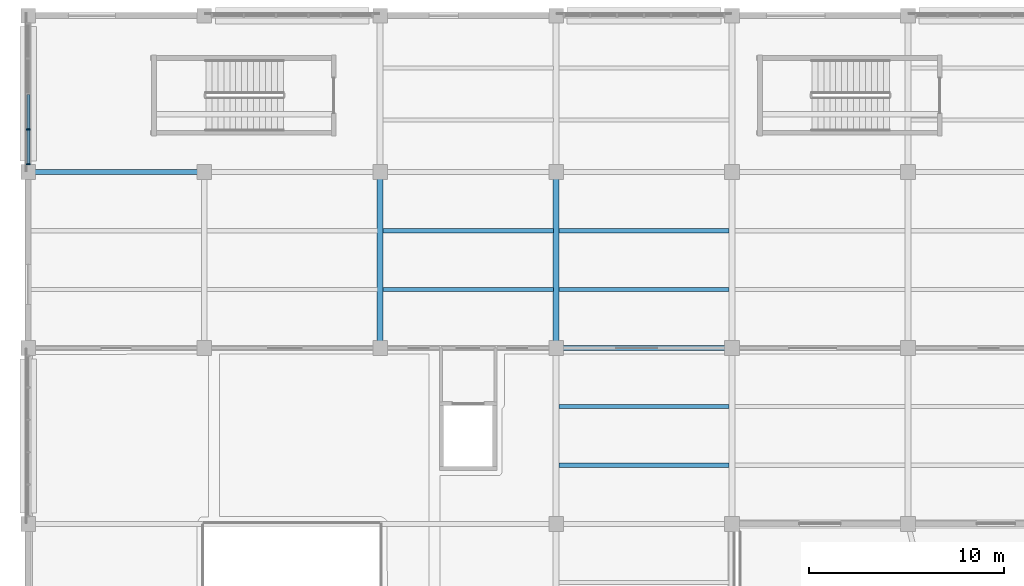
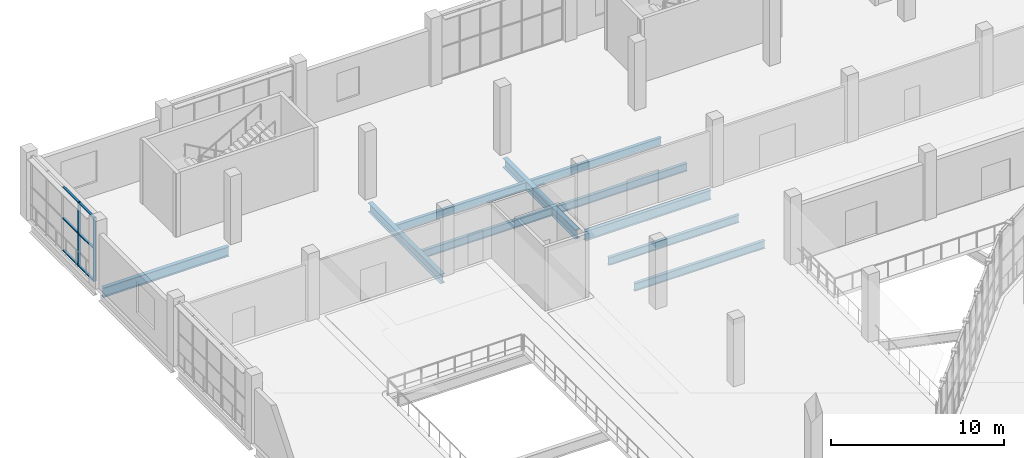
# One storey, part 53 of 179: 10 beams, 8 members, 1 element without a shape of its own.
"""IFC4 building model written with IfcOpenShell, lengths in metres."""

from ifc_helpers import new_model, si_unit, direction, frame, origin, origin_2d, place, context, subcontext, project, spatial, rectangle, i_section, extrude, material, material_profile, profile_set, type_object, element, aggregate, save


model = new_model("IFC4")

# Units and contexts
model_context = context("Model", 3, precision=1e-05, world=origin(), true_north=direction((0.0, 1.0)))
body_context = subcontext(model_context, "Body", "Model", "MODEL_VIEW")
ifc_project = project(units=[si_unit("LENGTHUNIT", "METRE"), si_unit("AREAUNIT", "SQUARE_METRE"), si_unit("VOLUMEUNIT", "CUBIC_METRE"), si_unit("PLANEANGLEUNIT", "RADIAN"), si_unit("MASSUNIT", "GRAM", prefix="KILO")], contexts=[model_context])

# Site, building, storey
site_placement = place(None, origin())
site = spatial("IfcSite", under=ifc_project, at=site_placement, CompositionType="ELEMENT")
building_placement = place(site_placement, origin())
building = spatial("IfcBuilding", under=site, at=building_placement, Name="Zevraka Park Crest Stadium", CompositionType="ELEMENT")
storey_placement = place(building_placement, frame((0.0, 0.0, 10.199951171875)))
storey = spatial("IfcBuildingStorey", under=building, at=storey_placement, Name="L02", CompositionType="ELEMENT", Elevation=10.199951171875)

# Beams
ifc_material_1 = material(Name="Steel S355", Category="steel")
ifc_material_profile_1 = material_profile(ifc_material_1, i_section(OverallWidth=0.253662109375, OverallDepth=0.68359375, WebThickness=0.012451171875, FlangeThickness=0.01904296875, at=origin_2d()), Name="UKB 686x254x140")
ifc_profile_set_1 = profile_set([ifc_material_profile_1], Name="Steel S355")
beam_type_1 = type_object("IfcBeamType", Name="BG05", PredefinedType="BEAM", material=ifc_profile_set_1)
for number, where, z_axis, x_axis, name in (
    (1, (0.300048828125, 176.0, -0.629638671875), (1.0, 0.0, 0.0), (0.0, 1.0, 0.0), "Wing Girder BG05 L02-12/V"),
    (2, (27.300048828125, 167.0, -0.629638671875), (1.0, 0.0, 0.0), (0.0, 1.0, 0.0), "Wing Girder BG05 L02-45/U"),
):
    element("IfcBeam", number, at=place(storey_placement, frame(where, z_axis=z_axis, x_axis=x_axis)), inside=storey, type_object=beam_type_1, Name=name, PredefinedType="BEAM", context=body_context, shape_type="SweptSolid", body=[
        extrude(i_section(OverallWidth=0.253662109375, OverallDepth=0.68359375, WebThickness=0.012451171875, FlangeThickness=0.01904296875, at=origin_2d()), origin(), (0.0, 0.0, 1.0), 8.39990234375),
    ])
ifc_material_2 = material(Name="Steel S355", Category="steel")
ifc_material_profile_2 = material_profile(ifc_material_2, i_section(OverallWidth=0.300048828125, OverallDepth=0.64990234375, WebThickness=0.01611328125, FlangeThickness=0.031005859375, at=origin_2d()), Name="HEB 650")
ifc_profile_set_2 = profile_set([ifc_material_profile_2], Name="Steel S355")
beam_type_2 = type_object("IfcBeamType", Name="BG07", PredefinedType="BEAM", material=ifc_profile_set_2)
for number, where, z_axis, x_axis, name in (
    (3, (18.0, 167.300048828125, -0.613037109375), (0.0, 1.0, 0.0), (-1.0, 0.0, 0.0), "Wing Girder BG07 L02-3/UV"),
    (4, (27.0, 167.300048828125, -0.613037109375), (0.0, 1.0, 0.0), (-1.0, 0.0, 0.0), "Wing Girder BG07 L02-4/UV"),
):
    element("IfcBeam", number, at=place(storey_placement, frame(where, z_axis=z_axis, x_axis=x_axis)), inside=storey, type_object=beam_type_2, Name=name, PredefinedType="BEAM", context=body_context, shape_type="SweptSolid", body=[
        extrude(i_section(OverallWidth=0.300048828125, OverallDepth=0.64990234375, WebThickness=0.01611328125, FlangeThickness=0.031005859375, at=origin_2d()), origin(), (0.0, 0.0, 1.0), 8.39990234375),
    ])

# Curtain wall, members
ifc_material_3 = material(Name="Anodised architectural aluminium and laminated safety glass", Category="aluminium")
curtain_wall_type = type_object("IfcCurtainWallType", Name="CW30", PredefinedType="NOTDEFINED", material=ifc_material_3)
curtain_wall_placement = place(storey_placement, origin())
curtain_wall = element("IfcCurtainWall", 5, at=curtain_wall_placement, inside=storey, type_object=curtain_wall_type, Name="Wing Curtain Wall CW30 L02-NW-W-8", PredefinedType="NOTDEFINED")
ifc_material_4 = material(Name="Anodised architectural aluminium", Category="aluminium")
ifc_material_profile_3 = material_profile(ifc_material_4, rectangle(XDim=0.199951171875, YDim=0.070068359375, at=origin_2d()), Name="ALU MULLION 200x70")
ifc_profile_set_3 = profile_set([ifc_material_profile_3], Name="Anodised architectural aluminium")
member_type_1 = type_object("IfcMemberType", Name="CM03", PredefinedType="MULLION", material=ifc_profile_set_3)
member_1_placement = place(storey_placement, frame((0.0, 176.39990234375, 0.0), z_axis=(0.0, 0.0, 1.0), x_axis=(-1.0, 0.0, 0.0)))
member_1 = element("IfcMember", 6, at=member_1_placement, type_object=member_type_1, Name="CW30 mullion 1", PredefinedType="MULLION", context=body_context, shape_type="SweptSolid", body=[
    extrude(rectangle(XDim=0.199951171875, YDim=0.070068359375, at=origin_2d()), origin(), (0.0, 0.0, 1.0), 4.5),
])
member_2_placement = place(storey_placement, frame((0.0, 178.1826171875, 0.0), z_axis=(0.0, 0.0, 1.0), x_axis=(-1.0, 0.0, 0.0)))
member_2 = element("IfcMember", 7, at=member_2_placement, type_object=member_type_1, Name="CW30 mullion 2", PredefinedType="MULLION", context=body_context, shape_type="SweptSolid", body=[
    extrude(rectangle(XDim=0.199951171875, YDim=0.070068359375, at=origin_2d()), origin(), (0.0, 0.0, 1.0), 4.5),
])
ifc_material_5 = material(Name="Anodised architectural aluminium", Category="aluminium")
ifc_material_profile_4 = material_profile(ifc_material_5, rectangle(XDim=0.14990234375, YDim=0.070068359375, at=origin_2d()), Name="ALU TRANSOM 150x70")
ifc_profile_set_4 = profile_set([ifc_material_profile_4], Name="Anodised architectural aluminium")
member_type_2 = type_object("IfcMemberType", Name="CT03", PredefinedType="USERDEFINED", material=ifc_profile_set_4)
member_3_placement = place(storey_placement, frame((0.0, 176.43505859375, 0.03515625), z_axis=(0.0, 1.0, 0.0), x_axis=(-1.0, 0.0, 0.0)))
member_3 = element("IfcMember", 8, at=member_3_placement, type_object=member_type_2, Name="CW30 transom 1.1", ObjectType="TRANSOM", PredefinedType="USERDEFINED", context=body_context, shape_type="SweptSolid", body=[
    extrude(rectangle(XDim=0.14990234375, YDim=0.070068359375, at=origin_2d()), origin(), (0.0, 0.0, 1.0), 1.71240234375),
])
member_4_placement = place(storey_placement, frame((0.0, 176.43505859375, 2.300048828125), z_axis=(0.0, 1.0, 0.0), x_axis=(-1.0, 0.0, 0.0)))
member_4 = element("IfcMember", 9, at=member_4_placement, type_object=member_type_2, Name="CW30 transom 1.2", ObjectType="TRANSOM", PredefinedType="USERDEFINED", context=body_context, shape_type="SweptSolid", body=[
    extrude(rectangle(XDim=0.14990234375, YDim=0.070068359375, at=origin_2d()), origin(), (0.0, 0.0, 1.0), 1.71240234375),
])
member_5_placement = place(storey_placement, frame((0.0, 176.43505859375, 4.465087890625), z_axis=(0.0, 1.0, 0.0), x_axis=(-1.0, 0.0, 0.0)))
member_5 = element("IfcMember", 10, at=member_5_placement, type_object=member_type_2, Name="CW30 transom 1.3", ObjectType="TRANSOM", PredefinedType="USERDEFINED", context=body_context, shape_type="SweptSolid", body=[
    extrude(rectangle(XDim=0.14990234375, YDim=0.070068359375, at=origin_2d()), origin(), (0.0, 0.0, 1.0), 1.71240234375),
])
member_6_placement = place(storey_placement, frame((0.0, 178.217529296875, 0.03515625), z_axis=(0.0, 1.0, 0.0), x_axis=(-1.0, 0.0, 0.0)))
member_6 = element("IfcMember", 11, at=member_6_placement, type_object=member_type_2, Name="CW30 transom 2.1", ObjectType="TRANSOM", PredefinedType="USERDEFINED", context=body_context, shape_type="SweptSolid", body=[
    extrude(rectangle(XDim=0.14990234375, YDim=0.070068359375, at=origin_2d()), origin(), (0.0, 0.0, 1.0), 1.74755859375),
])
member_7_placement = place(storey_placement, frame((0.0, 178.217529296875, 2.300048828125), z_axis=(0.0, 1.0, 0.0), x_axis=(-1.0, 0.0, 0.0)))
member_7 = element("IfcMember", 12, at=member_7_placement, type_object=member_type_2, Name="CW30 transom 2.2", ObjectType="TRANSOM", PredefinedType="USERDEFINED", context=body_context, shape_type="SweptSolid", body=[
    extrude(rectangle(XDim=0.14990234375, YDim=0.070068359375, at=origin_2d()), origin(), (0.0, 0.0, 1.0), 1.74755859375),
])
member_8_placement = place(storey_placement, frame((0.0, 178.217529296875, 4.465087890625), z_axis=(0.0, 1.0, 0.0), x_axis=(-1.0, 0.0, 0.0)))
member_8 = element("IfcMember", 13, at=member_8_placement, type_object=member_type_2, Name="CW30 transom 2.3", ObjectType="TRANSOM", PredefinedType="USERDEFINED", context=body_context, shape_type="SweptSolid", body=[
    extrude(rectangle(XDim=0.14990234375, YDim=0.070068359375, at=origin_2d()), origin(), (0.0, 0.0, 1.0), 1.74755859375),
])
aggregate(curtain_wall, [member_1, member_2, member_3, member_4, member_5, member_6, member_7, member_8])

# Beams
ifc_material_6 = material(Name="Steel S355", Category="steel")
ifc_material_profile_5 = material_profile(ifc_material_6, i_section(OverallWidth=0.2099609375, OverallDepth=0.550048828125, WebThickness=0.010986328125, FlangeThickness=0.01708984375, at=origin_2d()), Name="IPE 550")
ifc_profile_set_5 = profile_set([ifc_material_profile_5], Name="Steel S355")
beam_type_3 = type_object("IfcBeamType", Name="SJ04", PredefinedType="JOIST", material=ifc_profile_set_5)
for number, where, z_axis, x_axis, name in (
    (14, (18.14501953125, 170.0, -0.56494140625), (1.0, 0.0, 0.0), (0.0, 1.0, 0.0), "Wing Joist SJ04 L02-3/U-1"),
    (15, (18.14501953125, 173.0, -0.56494140625), (1.0, 0.0, 0.0), (0.0, 1.0, 0.0), "Wing Joist SJ04 L02-3/U-2"),
    (16, (27.14501953125, 161.0, -0.56494140625), (1.0, 0.0, 0.0), (0.0, 1.0, 0.0), "Wing Joist SJ04 L02-4/T-1"),
    (17, (27.14501953125, 164.0, -0.56494140625), (1.0, 0.0, 0.0), (0.0, 1.0, 0.0), "Wing Joist SJ04 L02-4/T-2"),
    (18, (27.14501953125, 170.0, -0.56494140625), (1.0, 0.0, 0.0), (0.0, 1.0, 0.0), "Wing Joist SJ04 L02-4/U-1"),
    (19, (27.14501953125, 173.0, -0.56494140625), (1.0, 0.0, 0.0), (0.0, 1.0, 0.0), "Wing Joist SJ04 L02-4/U-2"),
):
    element("IfcBeam", number, at=place(storey_placement, frame(where, z_axis=z_axis, x_axis=x_axis)), inside=storey, type_object=beam_type_3, Name=name, PredefinedType="JOIST", context=body_context, shape_type="SweptSolid", body=[
        extrude(i_section(OverallWidth=0.2099609375, OverallDepth=0.550048828125, WebThickness=0.010986328125, FlangeThickness=0.01708984375, at=origin_2d()), origin(), (0.0, 0.0, 1.0), 8.7099609375),
    ])

save(model, "model.ifc")
